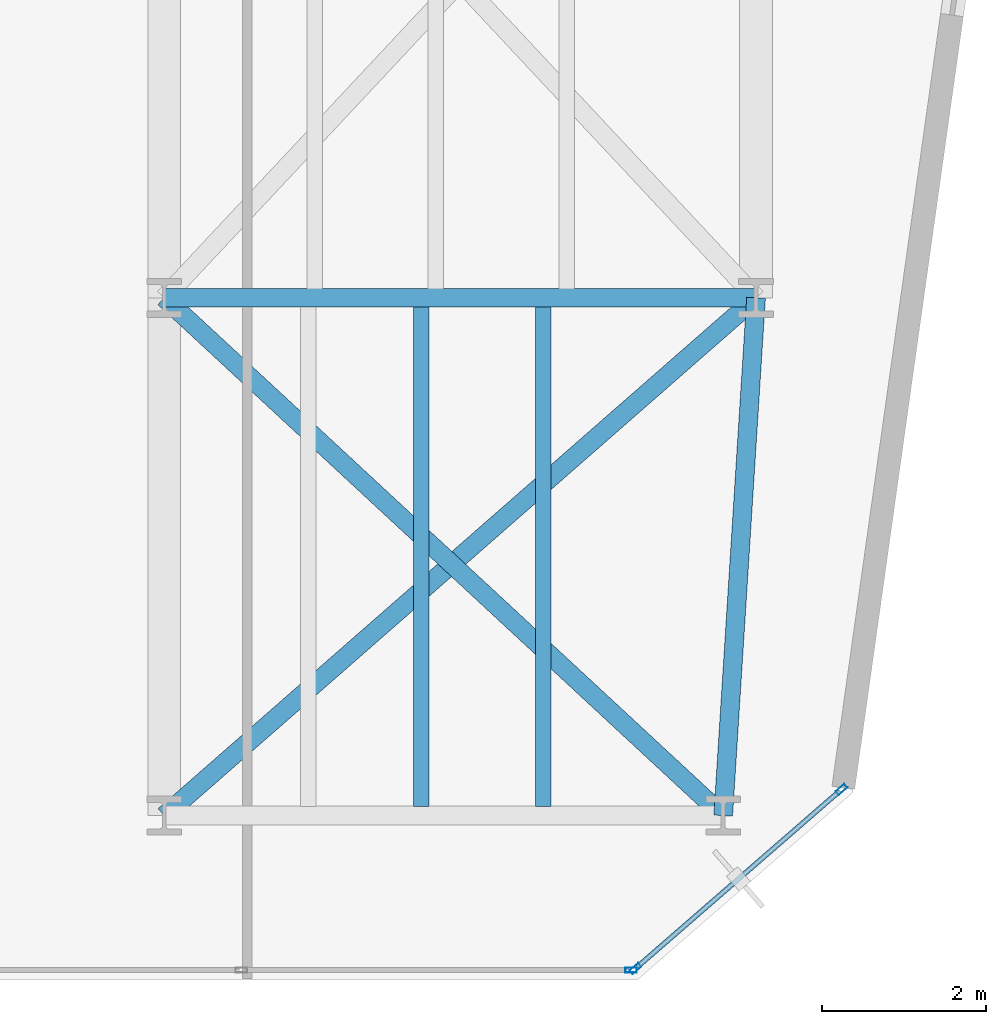
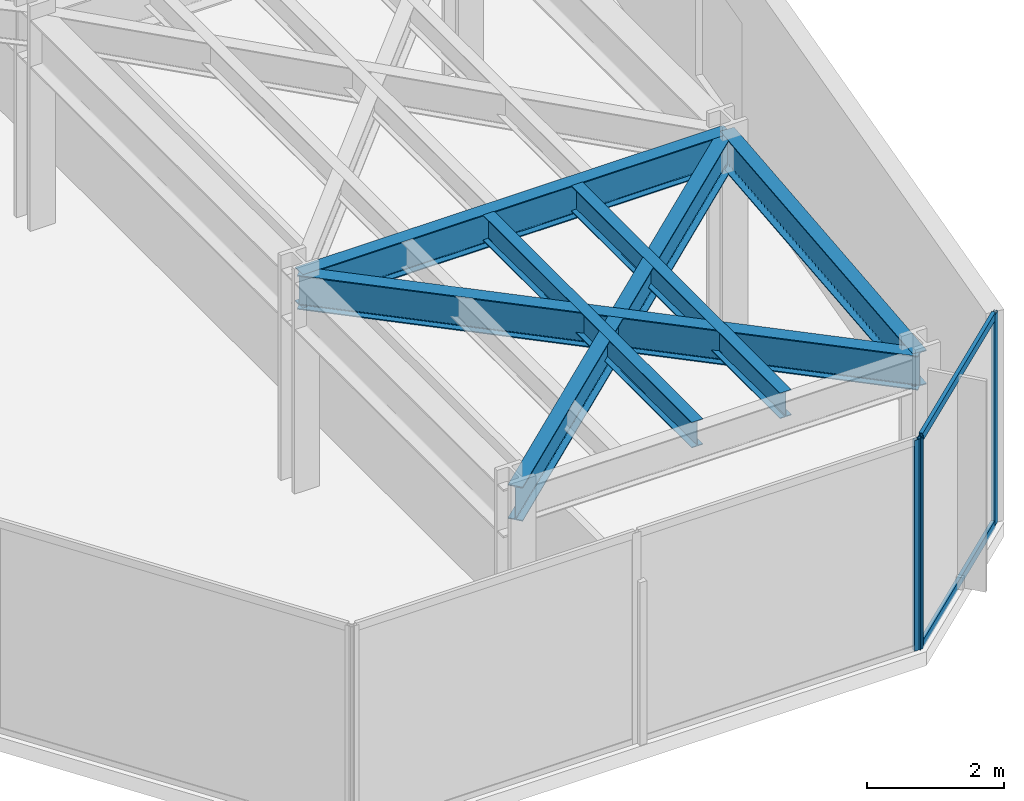
# One storey, part 19 of 26: 6 beams, 5 members, 2 elements without a shape of their own.
"""IFC4 building model written with IfcOpenShell, lengths in metres."""

from ifc_helpers import new_model, si_unit, direction, frame, origin, origin_2d, place, context, subcontext, project, spatial, hollow_rectangle, i_section, extrude, material, layer, layer_set, material_profile, profile_set, type_object, element, aggregate, save


model = new_model("IFC4")

# Units and contexts
model_context = context("Model", 3, precision=1e-05, world=origin(), true_north=direction((0.0, 1.0)))
body_context = subcontext(model_context, "Body", "Model", "MODEL_VIEW")
ifc_project = project(units=[si_unit("LENGTHUNIT", "METRE"), si_unit("AREAUNIT", "SQUARE_METRE"), si_unit("VOLUMEUNIT", "CUBIC_METRE"), si_unit("PLANEANGLEUNIT", "RADIAN"), si_unit("MASSUNIT", "GRAM", prefix="KILO")], contexts=[model_context])

# Site, building, storey
site_placement = place(None, origin())
site = spatial("IfcSite", under=ifc_project, at=site_placement, CompositionType="ELEMENT")
building_placement = place(site_placement, origin())
building = spatial("IfcBuilding", under=site, at=building_placement, Name="Kravanh Interchange Tower", CompositionType="ELEMENT")
storey_placement = place(building_placement, frame((0.0, 0.0, 116.0)))
storey = spatial("IfcBuildingStorey", under=building, at=storey_placement, Name="L27", CompositionType="ELEMENT", Elevation=116.0)

# Curtain wall, members
ifc_material_1 = material(Name="Anodised Bronze Aluminium", Category="aluminium")
ifc_layer = layer(ifc_material_1, 0.179931640625)
ifc_layer_set = layer_set([ifc_layer], Name="Unitised Curtain Wall System CW-Z2 Mid Office")
curtain_wall_type = type_object("IfcCurtainWallType", Name="Unitised Curtain Wall System CW-Z2 Mid Office", PredefinedType="NOTDEFINED", material=ifc_layer_set)
curtain_wall_1_placement = place(storey_placement, origin())
curtain_wall_1 = element("IfcCurtainWall", 1, at=curtain_wall_1_placement, inside=storey, type_object=curtain_wall_type, Name="L27 Unitised Curtain Wall CW-L27-02", PredefinedType="NOTDEFINED")
ifc_material_2 = material(Name="Anodised Bronze Aluminium", Category="aluminium")
ifc_material_profile_1 = material_profile(ifc_material_2, hollow_rectangle(XDim=0.06005859375, YDim=0.139892578125, WallThickness=0.00390625, at=origin_2d()), Name="ALU60X140X4")
ifc_profile_set_1 = profile_set([ifc_material_profile_1], Name="Anodised Bronze Aluminium")
member_type_1 = type_object("IfcMemberType", Name="Curtain Wall Mullion ALU60X140X4 Bronze", PredefinedType="MULLION", material=ifc_profile_set_1)
member_1_placement = place(storey_placement, frame((64.239990234375, 8.51904296875, 0.0), z_axis=(0.0, 0.0, 1.0), x_axis=(0.656047665617, -0.754719458103, 0.0)))
member_1 = element("IfcMember", 2, at=member_1_placement, type_object=member_type_1, Name="CW-Z2 mullion 1", PredefinedType="MULLION", context=body_context, shape_type="SweptSolid", body=[
    extrude(hollow_rectangle(XDim=0.06005859375, YDim=0.139892578125, WallThickness=0.00390625, at=origin_2d()), origin(), (0.0, 0.0, 1.0), 3.75),
])
member_2_placement = place(storey_placement, frame((61.73291015625, 6.339599609375, 0.0), z_axis=(0.0, 0.0, 1.0), x_axis=(0.656047665617, -0.754719458103, 0.0)))
member_2 = element("IfcMember", 3, at=member_2_placement, type_object=member_type_1, Name="CW-Z2 mullion 2", PredefinedType="MULLION", context=body_context, shape_type="SweptSolid", body=[
    extrude(hollow_rectangle(XDim=0.06005859375, YDim=0.139892578125, WallThickness=0.00390625, at=origin_2d()), origin(), (0.0, 0.0, 1.0), 3.75),
])

# Curtain wall, member
curtain_wall_2_placement = place(storey_placement, origin())
curtain_wall_2 = element("IfcCurtainWall", 4, at=curtain_wall_2_placement, inside=storey, type_object=curtain_wall_type, Name="L27 Unitised Curtain Wall CW-L27-03", PredefinedType="NOTDEFINED")
member_3_placement = place(storey_placement, frame((61.68017578125, 6.320068359375, 0.0), z_axis=(0.0, 0.0, 1.0), x_axis=(0.0, -1.0, 0.0)))
member_3 = element("IfcMember", 5, at=member_3_placement, type_object=member_type_1, Name="CW-Z2 mullion 1", PredefinedType="MULLION", context=body_context, shape_type="SweptSolid", body=[
    extrude(hollow_rectangle(XDim=0.06005859375, YDim=0.139892578125, WallThickness=0.00390625, at=origin_2d()), origin(), (0.0, 0.0, 1.0), 3.75),
])
aggregate(curtain_wall_2, [member_3])

# Member
ifc_material_3 = material(Name="Anodised Bronze Aluminium", Category="aluminium")
ifc_material_profile_2 = material_profile(ifc_material_3, hollow_rectangle(XDim=0.06005859375, YDim=0.139892578125, WallThickness=0.00390625, at=origin_2d()), Name="ALU60X140X4")
ifc_profile_set_2 = profile_set([ifc_material_profile_2], Name="Anodised Bronze Aluminium")
member_type_2 = type_object("IfcMemberType", Name="Curtain Wall Transom ALU60X140X4 Bronze", PredefinedType="USERDEFINED", material=ifc_profile_set_2)
member_4_placement = place(storey_placement, frame((64.21728515625, 8.499267578125, 0.030029296875), z_axis=(-0.754742467432, -0.656021194669, 0.0), x_axis=(0.656021194669, -0.754742467432, 0.0)))
member_4 = element("IfcMember", 6, at=member_4_placement, type_object=member_type_2, Name="CW-Z2 transom 1.1", ObjectType="TRANSOM", PredefinedType="USERDEFINED", context=body_context, shape_type="SweptSolid", body=[
    extrude(hollow_rectangle(XDim=0.06005859375, YDim=0.139892578125, WallThickness=0.00390625, at=origin_2d()), origin(), (0.0, 0.0, 1.0), 3.261962890625),
])

member_5_placement = place(storey_placement, frame((64.21728515625, 8.499267578125, 3.719970703125), z_axis=(-0.754742467432, -0.656021194669, 0.0), x_axis=(0.656021194669, -0.754742467432, 0.0)))
member_5 = element("IfcMember", 7, at=member_5_placement, type_object=member_type_2, Name="CW-Z2 transom 1.2", ObjectType="TRANSOM", PredefinedType="USERDEFINED", context=body_context, shape_type="SweptSolid", body=[
    extrude(hollow_rectangle(XDim=0.06005859375, YDim=0.139892578125, WallThickness=0.00390625, at=origin_2d()), origin(), (0.0, 0.0, 1.0), 3.261962890625),
])

aggregate(curtain_wall_1, [member_1, member_2, member_4, member_5])

# Beams
ifc_material_4 = material(Name="Structural Steel S355", Category="steel")
ifc_material_profile_3 = material_profile(ifc_material_4, i_section(OverallWidth=0.18994140625, OverallDepth=0.45703125, WebThickness=0.009033203125, FlangeThickness=0.014404296875, FilletRadius=0.01806640625, at=origin_2d()), Name="W18X50")
ifc_profile_set_3 = profile_set([ifc_material_profile_3], Name="Structural Steel S355")
beam_type_1 = type_object("IfcBeamType", Name="Floor Joist W18X50 Structural Steel S355", PredefinedType="JOIST", material=ifc_profile_set_3)
for number, where, z_axis, x_axis, name in (
    (8, (59.125, 8.30908203125, 3.521484375), (0.0, 1.0, 0.0), (-1.0, 0.0, 0.0), "L27 Secondary Floor Joist 5"),
    (9, (60.610107421875, 8.30908203125, 3.521484375), (0.0, 1.0, 0.0), (-1.0, 0.0, 0.0), "L27 Secondary Floor Joist 6"),
):
    element("IfcBeam", number, at=place(storey_placement, frame(where, z_axis=z_axis, x_axis=x_axis)), inside=storey, type_object=beam_type_1, Name=name, PredefinedType="JOIST", context=body_context, shape_type="SweptSolid", body=[
        extrude(i_section(OverallWidth=0.18994140625, OverallDepth=0.45703125, WebThickness=0.009033203125, FlangeThickness=0.014404296875, FilletRadius=0.01806640625, at=origin_2d()), origin(), (0.0, 0.0, 1.0), 6.08203125),
    ])
ifc_material_5 = material(Name="Structural Steel S355", Category="steel")
ifc_material_profile_4 = material_profile(ifc_material_5, i_section(OverallWidth=0.22802734375, OverallDepth=0.60791015625, WebThickness=0.01123046875, FlangeThickness=0.017333984375, FilletRadius=0.02197265625, at=origin_2d()), Name="W24X76")
ifc_profile_set_4 = profile_set([ifc_material_profile_4], Name="Structural Steel S355")
beam_type_2 = type_object("IfcBeamType", Name="Floor Spandrel W24X76 Structural Steel S355", PredefinedType="SPANDREL", material=ifc_profile_set_4)
beam_1_placement = place(storey_placement, frame((56.0, 8.199951171875, 3.446044921875), z_axis=(0.752571952274, 0.658510027752, 0.0), x_axis=(-0.658510027752, 0.752571952274, 0.0)))
element("IfcBeam", 10, at=beam_1_placement, inside=storey, type_object=beam_type_2, Name="L27 Perimeter Spandrel 97", PredefinedType="SPANDREL", context=body_context, shape_type="SweptSolid", body=[
    extrude(i_section(OverallWidth=0.22802734375, OverallDepth=0.60791015625, WebThickness=0.01123046875, FlangeThickness=0.017333984375, FilletRadius=0.02197265625, at=origin_2d()), origin(), (0.0, 0.0, 1.0), 9.567138671875),
])
beam_2_placement = place(storey_placement, frame((62.800048828125, 8.199951171875, 3.446044921875), z_axis=(0.063348576418, 0.99799146182, 0.0), x_axis=(-0.99799146182, 0.063348576418, 0.0)))
element("IfcBeam", 11, at=beam_2_placement, inside=storey, type_object=beam_type_2, Name="L27 Perimeter Spandrel 98", PredefinedType="SPANDREL", context=body_context, shape_type="SweptSolid", body=[
    extrude(i_section(OverallWidth=0.22802734375, OverallDepth=0.60791015625, WebThickness=0.01123046875, FlangeThickness=0.017333984375, FilletRadius=0.02197265625, at=origin_2d()), origin(), (0.0, 0.0, 1.0), 6.312744140625),
])
beam_3_placement = place(storey_placement, frame((62.800048828125, 8.199951171875, 3.446044921875), z_axis=(-0.733561267923, 0.679623326706, 0.0), x_axis=(-0.679623326706, -0.733561267923, 0.0)))
element("IfcBeam", 12, at=beam_3_placement, inside=storey, type_object=beam_type_2, Name="L27 Perimeter Spandrel 99", PredefinedType="SPANDREL", context=body_context, shape_type="SweptSolid", body=[
    extrude(i_section(OverallWidth=0.22802734375, OverallDepth=0.60791015625, WebThickness=0.01123046875, FlangeThickness=0.017333984375, FilletRadius=0.02197265625, at=origin_2d()), origin(), (0.0, 0.0, 1.0), 9.27001953125),
])
beam_4_placement = place(storey_placement, frame((56.0, 14.5, 3.446044921875), z_axis=(1.0, 0.0, 0.0), x_axis=(0.0, 1.0, 0.0)))
element("IfcBeam", 13, at=beam_4_placement, inside=storey, type_object=beam_type_2, Name="L27 Perimeter Spandrel 103", PredefinedType="SPANDREL", context=body_context, shape_type="SweptSolid", body=[
    extrude(i_section(OverallWidth=0.22802734375, OverallDepth=0.60791015625, WebThickness=0.01123046875, FlangeThickness=0.017333984375, FilletRadius=0.02197265625, at=origin_2d()), origin(), (0.0, 0.0, 1.0), 7.199951171875),
])

save(model, "model.ifc")
